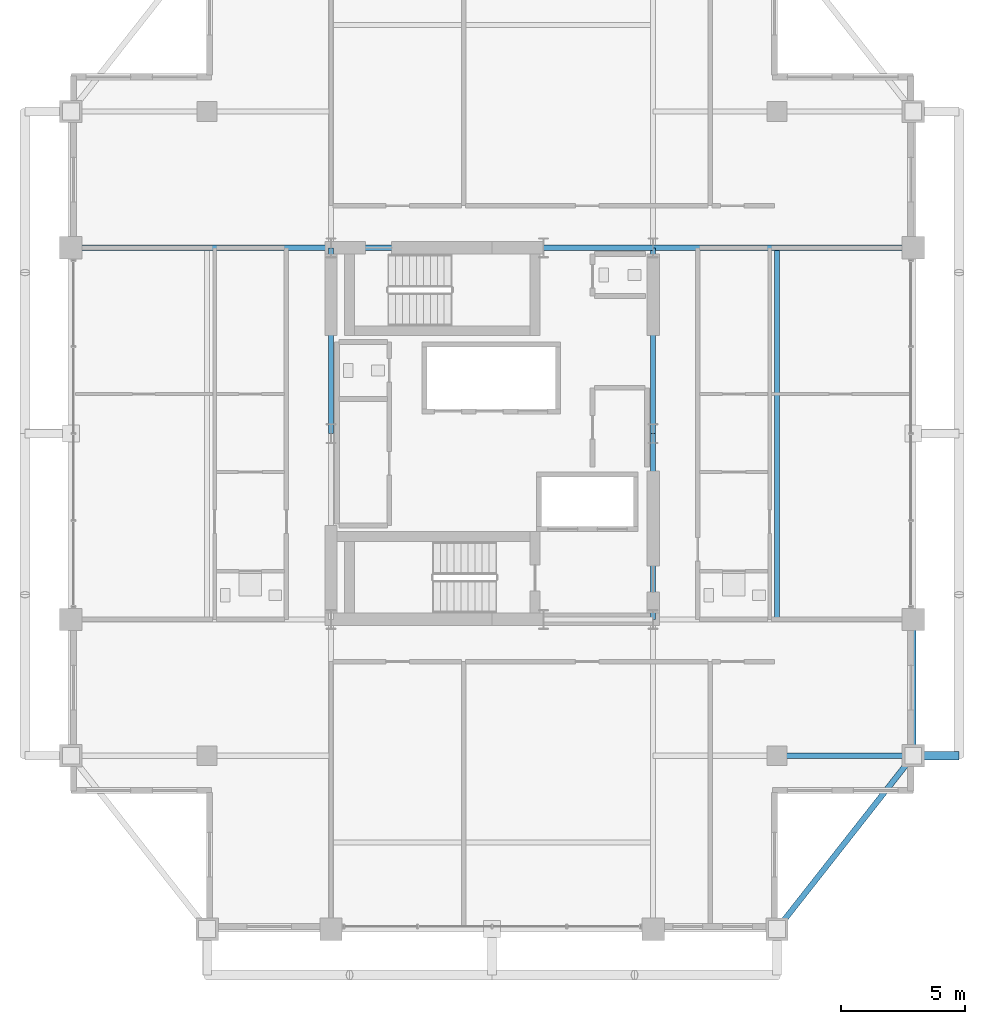
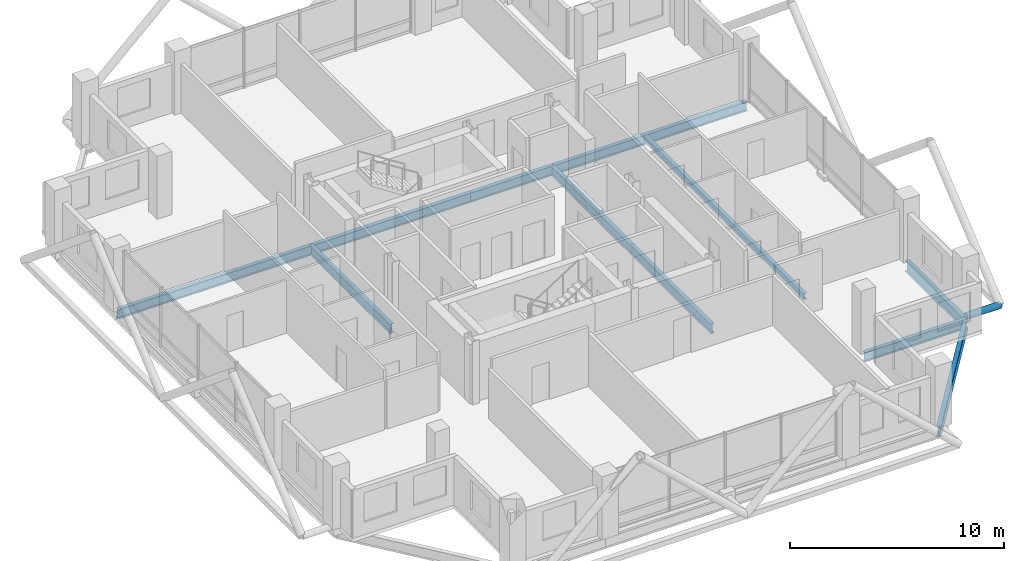
# One storey, part 11 of 24: 11 beams, 1 member.
"""IFC4 building model written with IfcOpenShell, lengths in metres."""

from ifc_helpers import new_model, si_unit, direction, frame, origin, origin_2d, place, context, subcontext, project, spatial, hollow_circle, i_section, extrude, material, material_profile, profile_set, type_object, element, save


model = new_model("IFC4")

# Units and contexts
model_context = context("Model", 3, precision=1e-05, world=origin(), true_north=direction((0.0, 1.0)))
body_context = subcontext(model_context, "Body", "Model", "MODEL_VIEW")
ifc_project = project(units=[si_unit("LENGTHUNIT", "METRE"), si_unit("AREAUNIT", "SQUARE_METRE"), si_unit("VOLUMEUNIT", "CUBIC_METRE"), si_unit("PLANEANGLEUNIT", "RADIAN"), si_unit("MASSUNIT", "GRAM", prefix="KILO")], contexts=[model_context])

# Site, building, storey
site_placement = place(None, origin())
site = spatial("IfcSite", under=ifc_project, at=site_placement, CompositionType="ELEMENT")
building_placement = place(site_placement, origin())
building = spatial("IfcBuilding", under=site, at=building_placement, Name="Barlavira Tower and Art Museum", CompositionType="ELEMENT")
storey_placement = place(building_placement, frame((0.0, 0.0, 294.300048828125)))
storey = spatial("IfcBuildingStorey", under=building, at=storey_placement, Name="L77", CompositionType="ELEMENT", Elevation=294.300048828125)

# Member
ifc_material = material(Name="Steel S355", Category="steel")
ifc_material_profile_1 = material_profile(ifc_material, hollow_circle(Radius=0.177734375, WallThickness=0.01611328125, at=origin_2d()), Name="CHS 355.6x16.0")
ifc_profile_set_1 = profile_set([ifc_material_profile_1], Name="Steel S355")
member_type = type_object("IfcMemberType", Name="Pale-Metal Exoskeleton Tie Strut CHS 356x16 Steel S355", PredefinedType="STRUT", material=ifc_profile_set_1)
member_placement = place(storey_placement, frame((18.85009765625, -13.0, -0.1201171875), z_axis=(-1.0, 0.0, 0.0), x_axis=(0.0, -1.0, 0.0)))
element("IfcMember", 1, at=member_placement, inside=storey, type_object=member_type, Name="L77 Exoskeleton Tie Strut E1", PredefinedType="STRUT", context=body_context, shape_type="SweptSolid", body=[
    extrude(hollow_circle(Radius=0.177734375, WallThickness=0.01611328125, at=origin_2d()), origin(), (0.0, 0.0, 1.0), 1.85009765625),
])

# Beams
ifc_material_profile_2 = material_profile(ifc_material, i_section(OverallWidth=0.22998046875, OverallDepth=0.616943359375, WebThickness=0.01318359375, FlangeThickness=0.022216796875, at=origin_2d()), Name="W610x140.0")
ifc_profile_set_2 = profile_set([ifc_material_profile_2], Name="Steel S355")
beam_type_1 = type_object("IfcBeamType", Name="Upper Shaft Spandrel Edge Beam W610x140 Steel S355", PredefinedType="SPANDREL", material=ifc_profile_set_2)
beam_1_placement = place(storey_placement, frame((11.5, -20.0, -0.528564453125), z_axis=(0.617821551932, 0.786318338822, 0.0), x_axis=(-0.786318338822, 0.617821551932, 0.0)))
element("IfcBeam", 2, at=beam_1_placement, inside=storey, type_object=beam_type_1, Name="L77 Spandrel 4", PredefinedType="SPANDREL", context=body_context, shape_type="SweptSolid", body=[
    extrude(i_section(OverallWidth=0.22998046875, OverallDepth=0.616943359375, WebThickness=0.01318359375, FlangeThickness=0.022216796875, at=origin_2d()), origin(), (0.0, 0.0, 1.0), 8.90234375),
])
beam_2_placement = place(storey_placement, frame((17.0, -13.0, -0.528564453125), z_axis=(0.0, 1.0, 0.0), x_axis=(-1.0, 0.0, 0.0)))
element("IfcBeam", 3, at=beam_2_placement, inside=storey, type_object=beam_type_1, Name="L77 Spandrel 5", PredefinedType="SPANDREL", context=body_context, shape_type="SweptSolid", body=[
    extrude(i_section(OverallWidth=0.22998046875, OverallDepth=0.616943359375, WebThickness=0.01318359375, FlangeThickness=0.022216796875, at=origin_2d()), origin(), (0.0, 0.0, 1.0), 5.5),
])
ifc_material_profile_3 = material_profile(ifc_material, i_section(OverallWidth=0.2109375, OverallDepth=0.5390625, WebThickness=0.01171875, FlangeThickness=0.018798828125, at=origin_2d()), Name="W530x109.0")
ifc_profile_set_3 = profile_set([ifc_material_profile_3], Name="Steel S355")
beam_type_2 = type_object("IfcBeamType", Name="Zone 3-4 Primary Floor Girder W530x109 Steel S355", PredefinedType="BEAM", material=ifc_profile_set_3)
beam_3_placement = place(storey_placement, frame((-6.5, 7.5, -0.489501953125), z_axis=(1.0, 0.0, 0.0), x_axis=(0.0, 1.0, 0.0)))
element("IfcBeam", 4, at=beam_3_placement, inside=storey, type_object=beam_type_2, Name="L77 Girder C-N1", PredefinedType="BEAM", context=body_context, shape_type="SweptSolid", body=[
    extrude(i_section(OverallWidth=0.2109375, OverallDepth=0.5390625, WebThickness=0.01171875, FlangeThickness=0.018798828125, at=origin_2d()), origin(), (0.0, 0.0, 1.0), 8.580078125),
])
beam_4_placement = place(storey_placement, frame((2.080078125, 7.5, -0.489501953125), z_axis=(1.0, 0.0, 0.0), x_axis=(0.0, 1.0, 0.0)))
element("IfcBeam", 5, at=beam_4_placement, inside=storey, type_object=beam_type_2, Name="L77 Girder C-N2", PredefinedType="BEAM", context=body_context, shape_type="SweptSolid", body=[
    extrude(i_section(OverallWidth=0.2109375, OverallDepth=0.5390625, WebThickness=0.01171875, FlangeThickness=0.018798828125, at=origin_2d()), origin(), (0.0, 0.0, 1.0), 4.419921875),
])
for number, where, z_axis, x_axis, name in (
    (6, (-6.5, 0.0, -0.489501953125), (0.0, 1.0, 0.0), (-1.0, 0.0, 0.0), "L77 Girder C-W2"),
    (7, (6.5, -7.5, -0.489501953125), (0.0, 1.0, 0.0), (-1.0, 0.0, 0.0), "L77 Girder C-E1"),
    (8, (6.5, 0.0, -0.489501953125), (0.0, 1.0, 0.0), (-1.0, 0.0, 0.0), "L77 Girder C-E2"),
):
    element("IfcBeam", number, at=place(storey_placement, frame(where, z_axis=z_axis, x_axis=x_axis)), inside=storey, type_object=beam_type_2, Name=name, PredefinedType="BEAM", context=body_context, shape_type="SweptSolid", body=[
        extrude(i_section(OverallWidth=0.2109375, OverallDepth=0.5390625, WebThickness=0.01171875, FlangeThickness=0.018798828125, at=origin_2d()), origin(), (0.0, 0.0, 1.0), 7.5),
    ])
for number, where, z_axis, x_axis, name in (
    (9, (-17.0, 7.5, -0.489501953125), (1.0, 0.0, 0.0), (0.0, 1.0, 0.0), "L77 Girder R-W2"),
    (10, (6.5, 7.5, -0.489501953125), (1.0, 0.0, 0.0), (0.0, 1.0, 0.0), "L77 Girder R-E2"),
):
    element("IfcBeam", number, at=place(storey_placement, frame(where, z_axis=z_axis, x_axis=x_axis)), inside=storey, type_object=beam_type_2, Name=name, PredefinedType="BEAM", context=body_context, shape_type="SweptSolid", body=[
        extrude(i_section(OverallWidth=0.2109375, OverallDepth=0.5390625, WebThickness=0.01171875, FlangeThickness=0.018798828125, at=origin_2d()), origin(), (0.0, 0.0, 1.0), 10.5),
    ])
beam_5_placement = place(storey_placement, frame((11.5, -13.0, -0.489501953125), z_axis=(1.0, 0.0, 0.0), x_axis=(0.0, 1.0, 0.0)))
element("IfcBeam", 11, at=beam_5_placement, inside=storey, type_object=beam_type_2, Name="L77 Girder I-S4", PredefinedType="BEAM", context=body_context, shape_type="SweptSolid", body=[
    extrude(i_section(OverallWidth=0.2109375, OverallDepth=0.5390625, WebThickness=0.01171875, FlangeThickness=0.018798828125, at=origin_2d()), origin(), (0.0, 0.0, 1.0), 5.5),
])
ifc_material_profile_4 = material_profile(ifc_material, i_section(OverallWidth=0.202880859375, OverallDepth=0.346923828125, WebThickness=0.0078125, FlangeThickness=0.013427734375, at=origin_2d()), Name="W360x64.0")
ifc_profile_set_4 = profile_set([ifc_material_profile_4], Name="Steel S355")
beam_type_3 = type_object("IfcBeamType", Name="Zone 4 Composite Floor Joist W360x64 Steel S355", PredefinedType="JOIST", material=ifc_profile_set_4)
beam_6_placement = place(storey_placement, frame((11.5, -7.5, -0.3935546875), z_axis=(0.0, 1.0, 0.0), x_axis=(-1.0, 0.0, 0.0)))
element("IfcBeam", 12, at=beam_6_placement, inside=storey, type_object=beam_type_3, Name="L77 Joist W2", PredefinedType="JOIST", context=body_context, shape_type="SweptSolid", body=[
    extrude(i_section(OverallWidth=0.202880859375, OverallDepth=0.346923828125, WebThickness=0.0078125, FlangeThickness=0.013427734375, at=origin_2d()), origin(), (0.0, 0.0, 1.0), 15.0),
])

save(model, "model.ifc")
